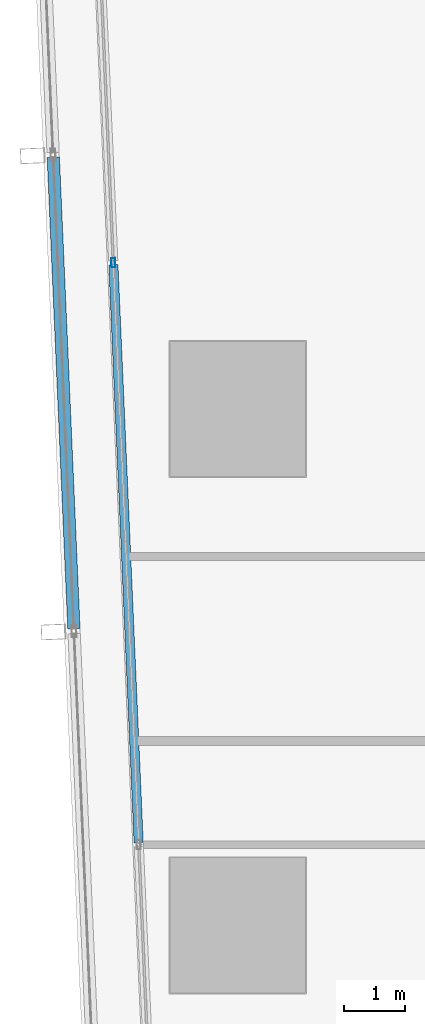
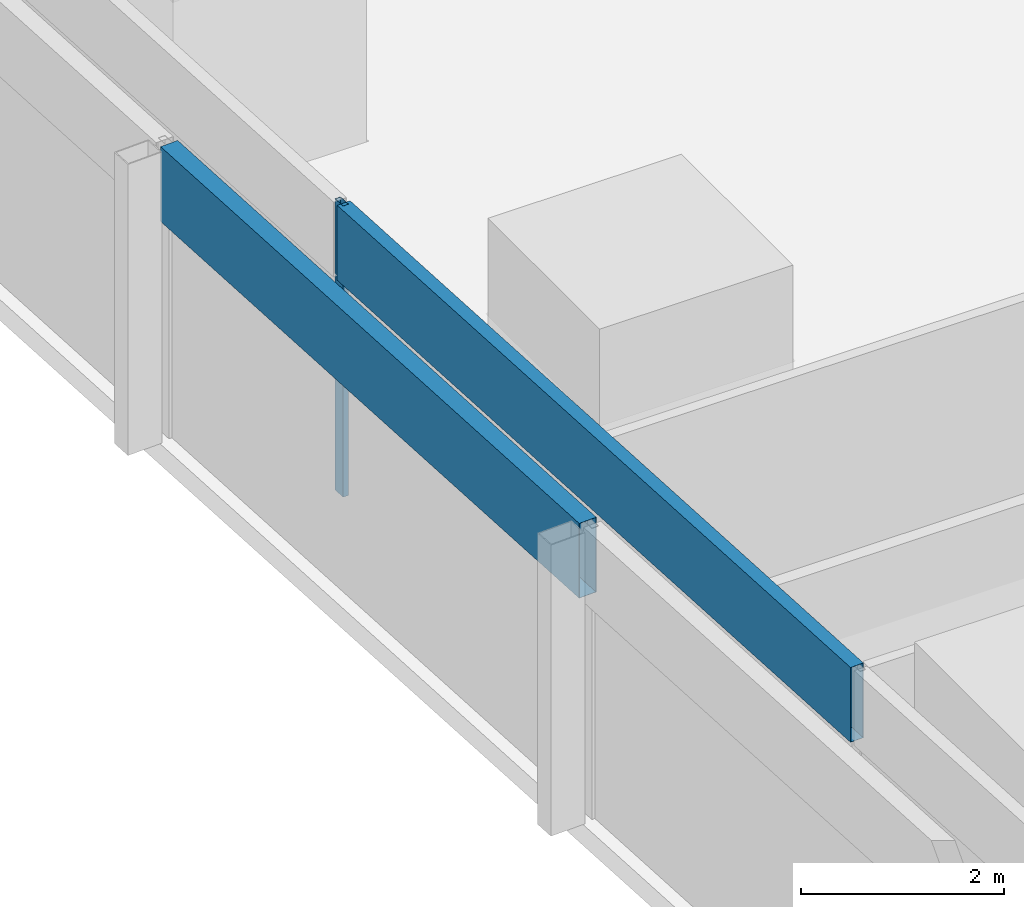
# One storey, part 8 of 42: 3 members, 2 elements without a shape of their own.
"""IFC4 building model written with IfcOpenShell, lengths in metres."""

from ifc_helpers import new_model, si_unit, direction, frame, origin, origin_2d, place, context, subcontext, project, spatial, hollow_rectangle, extrude, material, material_profile, profile_set, type_object, element, aggregate, save


model = new_model("IFC4")

# Units and contexts
model_context = context("Model", 3, precision=1e-05, world=origin(), true_north=direction((0.0, 1.0)))
body_context = subcontext(model_context, "Body", "Model", "MODEL_VIEW")
ifc_project = project(units=[si_unit("LENGTHUNIT", "METRE"), si_unit("AREAUNIT", "SQUARE_METRE"), si_unit("VOLUMEUNIT", "CUBIC_METRE"), si_unit("PLANEANGLEUNIT", "RADIAN"), si_unit("MASSUNIT", "GRAM", prefix="KILO")], contexts=[model_context])

# Site, building, storey
site_placement = place(None, origin())
site = spatial("IfcSite", under=ifc_project, at=site_placement, CompositionType="ELEMENT")
building_placement = place(site_placement, origin())
building = spatial("IfcBuilding", under=site, at=building_placement, Name="Rekha Terrace Tower", CompositionType="ELEMENT")
storey_placement = place(building_placement, frame((0.0, 0.0, 70.39990234375)))
storey = spatial("IfcBuildingStorey", under=building, at=storey_placement, Name="L17", CompositionType="ELEMENT", Elevation=70.39990234375)

# Curtain wall, members
ifc_material_1 = material(Name="Aluminium framing", Category="aluminium")
curtain_wall_type_1 = type_object("IfcCurtainWallType", Name="CW1 double skin inner glazing", PredefinedType="USERDEFINED", material=ifc_material_1)
curtain_wall_1_placement = place(storey_placement, origin())
curtain_wall_1 = element("IfcCurtainWall", 1, at=curtain_wall_1_placement, inside=storey, type_object=curtain_wall_type_1, Name="CW1 double skin inner glazing", ObjectType="DOUBLE SKIN INNER GLAZING", PredefinedType="USERDEFINED")
ifc_material_2 = material(Name="Aluminium mullion section", Category="aluminium")
ifc_material_profile_1 = material_profile(ifc_material_2, hollow_rectangle(XDim=0.06494140625, YDim=0.14990234375, WallThickness=0.00390625, at=origin_2d()), Name="AL RHS 65x150")
ifc_profile_set_1 = profile_set([ifc_material_profile_1], Name="Aluminium mullion section")
member_type_1 = type_object("IfcMemberType", Name="CW1 mullion RHS 65 x 150", PredefinedType="MULLION", material=ifc_profile_set_1)
member_1_placement = place(storey_placement, frame((6.37646484375, 35.978271484375, 0.0), z_axis=(0.0, 0.0, 1.0), x_axis=(0.999045462133, 0.043682543337, 0.0)))
member_1 = element("IfcMember", 2, at=member_1_placement, type_object=member_type_1, Name="CW1 mullion 2", PredefinedType="MULLION", context=body_context, shape_type="SweptSolid", body=[
    extrude(hollow_rectangle(XDim=0.06494140625, YDim=0.14990234375, WallThickness=0.00390625, at=origin_2d()), origin(), (0.0, 0.0, 1.0), 3.5),
])
ifc_material_3 = material(Name="Insulated aluminium spandrel box", Category="aluminium")
ifc_material_profile_2 = material_profile(ifc_material_3, hollow_rectangle(XDim=0.14990234375, YDim=0.89990234375, WallThickness=0.0029296875, at=origin_2d()), Name="AL SPANDREL BOX 150x900")
ifc_profile_set_2 = profile_set([ifc_material_profile_2], Name="Insulated aluminium spandrel box")
member_type_2 = type_object("IfcMemberType", Name="CW1 spandrel transom 150 x 900", PredefinedType="USERDEFINED", material=ifc_profile_set_2)
member_2_placement = place(storey_placement, frame((6.3779296875, 35.94580078125, 3.050048828125), z_axis=(0.043666917606, -0.999046145234, 0.0), x_axis=(0.999046145234, 0.043666917606, 0.0)))
member_2 = element("IfcMember", 3, at=member_2_placement, type_object=member_type_2, Name="CW1 spandrel transom 2", ObjectType="TRANSOM", PredefinedType="USERDEFINED", context=body_context, shape_type="SweptSolid", body=[
    extrude(hollow_rectangle(XDim=0.14990234375, YDim=0.89990234375, WallThickness=0.0029296875, at=origin_2d()), origin(), (0.0, 0.0, 1.0), 9.40966796875),
])
aggregate(curtain_wall_1, [member_1, member_2])

# Curtain wall, member
curtain_wall_type_2 = type_object("IfcCurtainWallType", Name="CW2 double skin outer glazing", PredefinedType="USERDEFINED", material=ifc_material_1)
curtain_wall_2_placement = place(storey_placement, origin())
curtain_wall_2 = element("IfcCurtainWall", 4, at=curtain_wall_2_placement, inside=storey, type_object=curtain_wall_type_2, Name="CW2 double skin outer glazing", ObjectType="DOUBLE SKIN OUTER GLAZING", PredefinedType="USERDEFINED")
ifc_material_profile_3 = material_profile(ifc_material_3, hollow_rectangle(XDim=0.199951171875, YDim=0.89990234375, WallThickness=0.0029296875, at=origin_2d()), Name="AL SPANDREL BOX 200x900")
ifc_profile_set_3 = profile_set([ifc_material_profile_3], Name="Insulated aluminium spandrel box")
member_type_3 = type_object("IfcMemberType", Name="CW2 spandrel transom 200 x 900", PredefinedType="USERDEFINED", material=ifc_profile_set_3)
member_3_placement = place(storey_placement, frame((5.400634765625, 37.690185546875, 3.050048828125), z_axis=(0.04369270591, -0.99904501773, 0.0), x_axis=(0.99904501773, 0.04369270591, 0.0)))
member_3 = element("IfcMember", 5, at=member_3_placement, type_object=member_type_3, Name="CW2 spandrel transom 2", ObjectType="TRANSOM", PredefinedType="USERDEFINED", context=body_context, shape_type="SweptSolid", body=[
    extrude(hollow_rectangle(XDim=0.199951171875, YDim=0.89990234375, WallThickness=0.0029296875, at=origin_2d()), origin(), (0.0, 0.0, 1.0), 7.671875),
])
aggregate(curtain_wall_2, [member_3])

save(model, "model.ifc")
